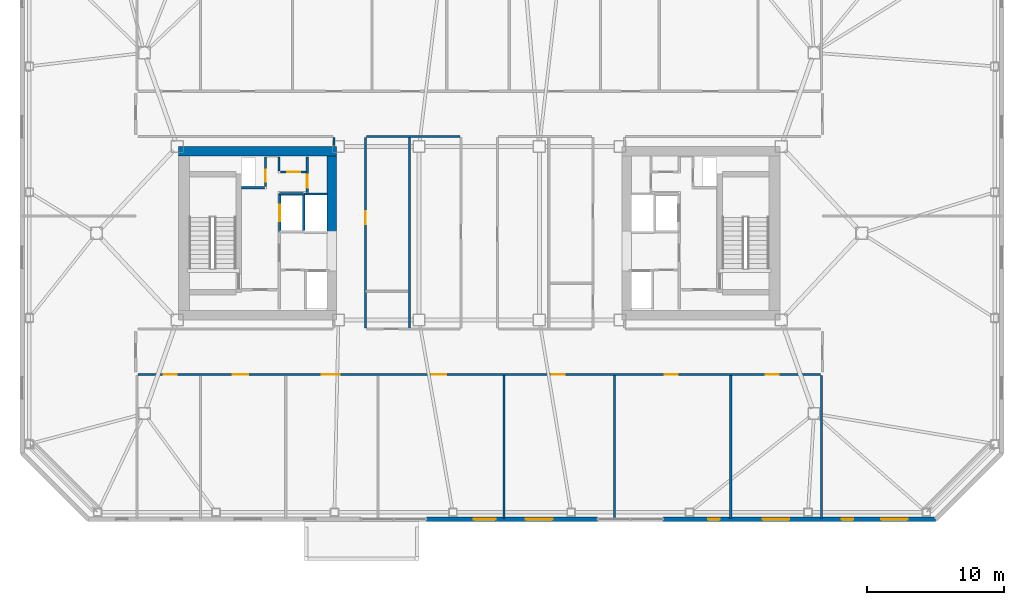
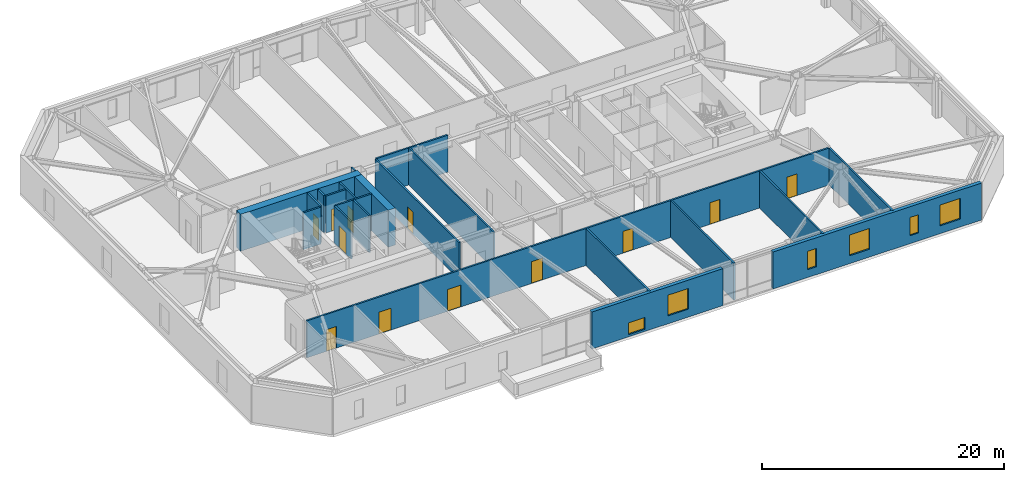
# One storey, part 11 of 18: 22 walls, 12 doors, 6 windows, 18 openings.
"""IFC4 building model written with IfcOpenShell, lengths in metres."""

from ifc_helpers import new_model, si_unit, direction, frame, frame_2d, origin, place, context, subcontext, project, spatial, rectangle, extrude, material, layer, layer_set, type_object, element, fill, save


model = new_model("IFC4")

# Units and contexts
model_context = context("Model", 3, precision=1e-05, world=origin(), true_north=direction((0.0, 1.0)))
body_context = subcontext(model_context, "Body", "Model", "MODEL_VIEW")
ifc_project = project(units=[si_unit("LENGTHUNIT", "METRE"), si_unit("AREAUNIT", "SQUARE_METRE"), si_unit("VOLUMEUNIT", "CUBIC_METRE"), si_unit("PLANEANGLEUNIT", "RADIAN"), si_unit("MASSUNIT", "GRAM", prefix="KILO")], contexts=[model_context])

# Site, building, storey
site_placement = place(None, origin())
site = spatial("IfcSite", under=ifc_project, at=site_placement, CompositionType="ELEMENT")
building_placement = place(site_placement, origin())
building = spatial("IfcBuilding", under=site, at=building_placement, Name="Tavrogorsk Clinical Tower", CompositionType="ELEMENT")
storey_placement = place(building_placement, frame((0.0, 0.0, 168.199951171875)))
storey = spatial("IfcBuildingStorey", under=building, at=storey_placement, Name="L38", CompositionType="ELEMENT", Elevation=168.199951171875)

# Wall
ifc_material_1 = material(Name="Lightweight concrete blockwork B15", Category="masonry")
ifc_layer_1 = layer(ifc_material_1, 0.139892578125)
ifc_layer_set_1 = layer_set([ifc_layer_1], Name="Lightweight concrete blockwork B15")
wall_type_1 = type_object("IfcWallType", Name="PartitionWall_140", PredefinedType="PARTITIONING", material=ifc_layer_set_1)
wall_1_placement = place(storey_placement, frame((-5.10009765625, -7.014892578125, 0.0), z_axis=(0.0, 0.0, 1.0), x_axis=(0.0, 1.0, 0.0)))
element("IfcWall", 1, at=wall_1_placement, inside=storey, type_object=wall_type_1, Name="L38 Central Spine Partition 1", PredefinedType="PARTITIONING", context=body_context, shape_type="SweptSolid", body=[
    extrude(rectangle(XDim=14.079833984375, YDim=0.139892578125, at=frame_2d((7.0400390625, 0.0))), origin(), (0.0, 0.0, 1.0), 3.739990234375),
])

# Wall, opening, door
ifc_material_2 = material(Name="Lightweight concrete blockwork B15", Category="masonry")
ifc_layer_2 = layer(ifc_material_2, 0.159912109375)
ifc_layer_set_2 = layer_set([ifc_layer_2], Name="Lightweight concrete blockwork B15")
wall_type_2 = type_object("IfcWallType", Name="PartitionWall_160", PredefinedType="PARTITIONING", material=ifc_layer_set_2)
wall_2_placement = place(storey_placement, frame((-12.580078125, 2.9599609375, 0.0), z_axis=(0.0, 0.0, 1.0), x_axis=(0.0, 1.0, 0.0)))
wall_2 = element("IfcWall", 2, at=wall_2_placement, inside=storey, type_object=wall_type_2, Name="L38 Core West Linen Closet Wall", PredefinedType="PARTITIONING", context=body_context, shape_type="SweptSolid", body=[
    extrude(rectangle(XDim=2.60009765625, YDim=0.159912109375, at=frame_2d((1.300048828125, 0.0))), origin(), (0.0, 0.0, 1.0), 3.739990234375),
])
opening_1_placement = place(wall_2_placement, frame((0.35009765625, 0.0, 0.0)))
opening_1 = element("IfcOpeningElement", 3, at=opening_1_placement, cuts=wall_2, Name="Opening ID-02", PredefinedType="OPENING", context=body_context, shape_type="SweptSolid", body=[
    extrude(rectangle(XDim=0.949951171875, YDim=2.199951171875, at=frame_2d((0.47509765625, 1.10009765625))), frame((0.0, 0.08984375, 0.0), z_axis=(0.0, -1.0, 0.0), x_axis=(1.0, 0.0, 0.0)), (0.0, 0.0, 1.0), 0.179931640625),
])
ifc_material_3 = material(Name="Laminated timber leaf on aluminium frame", Category="wood")
door_type_1 = type_object("IfcDoorType", Name="InteriorDoor_ID02_950", OperationType="NOTDEFINED", PredefinedType="DOOR", material=ifc_material_3)
door_1_placement = place(opening_1_placement, origin())
door_1 = element("IfcDoor", 4, at=door_1_placement, inside=storey, type_object=door_type_1, Name="L38 Core West Linen Closet Door", OperationType="SINGLE_SWING_RIGHT", OverallHeight=2.199951171875, OverallWidth=0.949951171875, PredefinedType="DOOR", context=body_context, shape_type="SweptSolid", body=[
    extrude(rectangle(XDim=0.949951171875, YDim=2.199951171875, at=frame_2d((0.47509765625, 1.10009765625))), frame((0.0, 0.02490234375, 0.0), z_axis=(0.0, -1.0, 0.0), x_axis=(1.0, 0.0, 0.0)), (0.0, 0.0, 1.0), 0.050048828125),
])
fill(opening_1, door_1)

wall_3_placement = place(storey_placement, frame((-14.554931640625, 4.47998046875, 0.0), z_axis=(0.0, 0.0, 1.0), x_axis=(1.0, 0.0, 0.0)))
wall_3 = element("IfcWall", 5, at=wall_3_placement, inside=storey, type_object=wall_type_2, Name="L38 Core West Housekeeping South Wall", PredefinedType="PARTITIONING", context=body_context, shape_type="SweptSolid", body=[
    extrude(rectangle(XDim=1.889892578125, YDim=0.159912109375, at=frame_2d((0.94482421875, 0.0))), origin(), (0.0, 0.0, 1.0), 3.739990234375),
])
opening_2_placement = place(wall_3_placement, frame((0.5, 0.0, 0.0)))
opening_2 = element("IfcOpeningElement", 6, at=opening_2_placement, cuts=wall_3, Name="Opening ID-02", PredefinedType="OPENING", context=body_context, shape_type="SweptSolid", body=[
    extrude(rectangle(XDim=0.949951171875, YDim=2.199951171875, at=frame_2d((0.47509765625, 1.10009765625))), frame((0.0, 0.08984375, 0.0), z_axis=(0.0, -1.0, 0.0), x_axis=(1.0, 0.0, 0.0)), (0.0, 0.0, 1.0), 0.179931640625),
])
door_2_placement = place(opening_2_placement, origin())
door_2 = element("IfcDoor", 7, at=door_2_placement, inside=storey, type_object=door_type_1, Name="L38 Core West Housekeeping Closet Door", OperationType="SINGLE_SWING_LEFT", OverallHeight=2.199951171875, OverallWidth=0.949951171875, PredefinedType="DOOR", context=body_context, shape_type="SweptSolid", body=[
    extrude(rectangle(XDim=0.949951171875, YDim=2.199951171875, at=frame_2d((0.47509765625, 1.10009765625))), frame((0.0, 0.02490234375, 0.0), z_axis=(0.0, -1.0, 0.0), x_axis=(1.0, 0.0, 0.0)), (0.0, 0.0, 1.0), 0.050048828125),
])
fill(opening_2, door_2)

# Walls
wall_4_placement = place(storey_placement, frame((-14.639892578125, 4.56494140625, 0.0), z_axis=(0.0, 0.0, 1.0), x_axis=(0.0, 1.0, 0.0)))
element("IfcWall", 8, at=wall_4_placement, inside=storey, type_object=wall_type_2, Name="L38 Core West Housekeeping East Wall", PredefinedType="PARTITIONING", context=body_context, shape_type="SweptSolid", body=[
    extrude(rectangle(XDim=0.9951171875, YDim=0.159912109375, at=frame_2d((0.49755859375, 0.0))), origin(), (0.0, 0.0, 1.0), 3.739990234375),
])
wall_5_placement = place(storey_placement, frame((-10.6298828125, 6.419921875, 0.0), z_axis=(0.0, 0.0, 1.0), x_axis=(0.0, 1.0, 0.0)))
element("IfcWall", 9, at=wall_5_placement, inside=storey, type_object=wall_type_2, Name="L38 Corridor Partition 04", PredefinedType="PARTITIONING", context=body_context, shape_type="SweptSolid", body=[
    extrude(rectangle(XDim=0.565185546875, YDim=0.159912109375, at=frame_2d((0.28271484375, 0.0))), origin(), (0.0, 0.0, 1.0), 3.739990234375),
])

# Wall, openings, doors
wall_6_placement = place(storey_placement, frame((24.965087890625, -10.330078125, 0.0), z_axis=(0.0, 0.0, 1.0), x_axis=(-1.0, 0.0, 0.0)))
wall_6 = element("IfcWall", 10, at=wall_6_placement, inside=storey, type_object=wall_type_2, Name="L38 Corridor Partition 14", PredefinedType="PARTITIONING", context=body_context, shape_type="SweptSolid", body=[
    extrude(rectangle(XDim=49.93017578125, YDim=0.159912109375, at=frame_2d((24.965087890625, 0.0))), origin(), (0.0, 0.0, 1.0), 3.739990234375),
])
opening_3_placement = place(wall_6_placement, frame((47.10595703125, 0.0, 0.0)))
opening_3 = element("IfcOpeningElement", 11, at=opening_3_placement, cuts=wall_6, Name="Opening ID-02", PredefinedType="OPENING", context=body_context, shape_type="SweptSolid", body=[
    extrude(rectangle(XDim=0.949951171875, YDim=2.199951171875, at=frame_2d((0.47509765625, 1.10009765625))), frame((0.0, 0.08984375, 0.0), z_axis=(0.0, -1.0, 0.0), x_axis=(1.0, 0.0, 0.0)), (0.0, 0.0, 1.0), 0.179931640625),
])
opening_4_placement = place(wall_6_placement, frame((41.85498046875, 0.0, 0.0)))
opening_4 = element("IfcOpeningElement", 12, at=opening_4_placement, cuts=wall_6, Name="Opening ID-06", PredefinedType="OPENING", context=body_context, shape_type="SweptSolid", body=[
    extrude(rectangle(XDim=1.14990234375, YDim=2.199951171875, at=frame_2d((0.574951171875, 1.10009765625))), frame((0.0, 0.08984375, 0.0), z_axis=(0.0, -1.0, 0.0), x_axis=(1.0, 0.0, 0.0)), (0.0, 0.0, 1.0), 0.179931640625),
])
opening_5_placement = place(wall_6_placement, frame((35.179931640625, 0.0, 0.0)))
opening_5 = element("IfcOpeningElement", 13, at=opening_5_placement, cuts=wall_6, Name="Opening ID-01", PredefinedType="OPENING", context=body_context, shape_type="SweptSolid", body=[
    extrude(rectangle(XDim=1.300048828125, YDim=2.199951171875, at=frame_2d((0.64990234375, 1.10009765625))), frame((0.0, 0.08984375, 0.0), z_axis=(0.0, -1.0, 0.0), x_axis=(1.0, 0.0, 0.0)), (0.0, 0.0, 1.0), 0.179931640625),
])
opening_6_placement = place(wall_6_placement, frame((27.3701171875, 0.0, 0.0)))
opening_6 = element("IfcOpeningElement", 14, at=opening_6_placement, cuts=wall_6, Name="Opening ID-04", PredefinedType="OPENING", context=body_context, shape_type="SweptSolid", body=[
    extrude(rectangle(XDim=1.050048828125, YDim=2.199951171875, at=frame_2d((0.52490234375, 1.10009765625))), frame((0.0, 0.08984375, 0.0), z_axis=(0.0, -1.0, 0.0), x_axis=(1.0, 0.0, 0.0)), (0.0, 0.0, 1.0), 0.179931640625),
])
opening_7_placement = place(wall_6_placement, frame((18.719970703125, 0.0, 0.0)))
opening_7 = element("IfcOpeningElement", 15, at=opening_7_placement, cuts=wall_6, Name="Opening ID-02", PredefinedType="OPENING", context=body_context, shape_type="SweptSolid", body=[
    extrude(rectangle(XDim=0.949951171875, YDim=2.199951171875, at=frame_2d((0.47509765625, 1.10009765625))), frame((0.0, 0.08984375, 0.0), z_axis=(0.0, -1.0, 0.0), x_axis=(1.0, 0.0, 0.0)), (0.0, 0.0, 1.0), 0.179931640625),
])
opening_8_placement = place(wall_6_placement, frame((10.425048828125, 0.0, 0.0)))
opening_8 = element("IfcOpeningElement", 16, at=opening_8_placement, cuts=wall_6, Name="Opening ID-02", PredefinedType="OPENING", context=body_context, shape_type="SweptSolid", body=[
    extrude(rectangle(XDim=0.949951171875, YDim=2.199951171875, at=frame_2d((0.47509765625, 1.10009765625))), frame((0.0, 0.08984375, 0.0), z_axis=(0.0, -1.0, 0.0), x_axis=(1.0, 0.0, 0.0)), (0.0, 0.0, 1.0), 0.179931640625),
])
opening_9_placement = place(wall_6_placement, frame((3.044189453125, 0.0, 0.0)))
opening_9 = element("IfcOpeningElement", 17, at=opening_9_placement, cuts=wall_6, Name="Opening ID-02", PredefinedType="OPENING", context=body_context, shape_type="SweptSolid", body=[
    extrude(rectangle(XDim=0.949951171875, YDim=2.199951171875, at=frame_2d((0.47509765625, 1.10009765625))), frame((0.0, 0.08984375, 0.0), z_axis=(0.0, -1.0, 0.0), x_axis=(1.0, 0.0, 0.0)), (0.0, 0.0, 1.0), 0.179931640625),
])
ifc_material_4 = material(Name="Antibacterial HPL consultation door on aluminium frame", Category="aluminium")
door_type_2 = type_object("IfcDoorType", Name="ConsultDoor_ID04_1050", OperationType="NOTDEFINED", PredefinedType="DOOR", material=ifc_material_4)
door_3_placement = place(opening_6_placement, origin())
door_3 = element("IfcDoor", 18, at=door_3_placement, inside=storey, type_object=door_type_2, Name="L38 South Clean Medication & Prep Room 04 Door", OperationType="SINGLE_SWING_LEFT", OverallHeight=2.199951171875, OverallWidth=1.050048828125, PredefinedType="DOOR", context=body_context, shape_type="SweptSolid", body=[
    extrude(rectangle(XDim=1.050048828125, YDim=2.199951171875, at=frame_2d((0.52490234375, 1.10009765625))), frame((0.0, 0.02490234375, 0.0), z_axis=(0.0, -1.0, 0.0), x_axis=(1.0, 0.0, 0.0)), (0.0, 0.0, 1.0), 0.050048828125),
])
fill(opening_6, door_3)
door_4_placement = place(opening_3_placement, origin())
door_4 = element("IfcDoor", 19, at=door_4_placement, inside=storey, type_object=door_type_1, Name="L38 South Cardiology Diagnostics Room 01 Door", OperationType="SINGLE_SWING_RIGHT", OverallHeight=2.199951171875, OverallWidth=0.949951171875, PredefinedType="DOOR", context=body_context, shape_type="SweptSolid", body=[
    extrude(rectangle(XDim=0.949951171875, YDim=2.199951171875, at=frame_2d((0.47509765625, 1.10009765625))), frame((0.0, 0.02490234375, 0.0), z_axis=(0.0, -1.0, 0.0), x_axis=(1.0, 0.0, 0.0)), (0.0, 0.0, 1.0), 0.050048828125),
])
fill(opening_3, door_4)
door_5_placement = place(opening_7_placement, origin())
door_5 = element("IfcDoor", 20, at=door_5_placement, inside=storey, type_object=door_type_1, Name="L38 South Outpatient Procedure Suite 05 Door", OperationType="SINGLE_SWING_RIGHT", OverallHeight=2.199951171875, OverallWidth=0.949951171875, PredefinedType="DOOR", context=body_context, shape_type="SweptSolid", body=[
    extrude(rectangle(XDim=0.949951171875, YDim=2.199951171875, at=frame_2d((0.47509765625, 1.10009765625))), frame((0.0, 0.02490234375, 0.0), z_axis=(0.0, -1.0, 0.0), x_axis=(1.0, 0.0, 0.0)), (0.0, 0.0, 1.0), 0.050048828125),
])
fill(opening_7, door_5)
door_6_placement = place(opening_8_placement, origin())
door_6 = element("IfcDoor", 21, at=door_6_placement, inside=storey, type_object=door_type_1, Name="L38 South Cardiology Diagnostics Room 06 Door", OperationType="SINGLE_SWING_LEFT", OverallHeight=2.199951171875, OverallWidth=0.949951171875, PredefinedType="DOOR", context=body_context, shape_type="SweptSolid", body=[
    extrude(rectangle(XDim=0.949951171875, YDim=2.199951171875, at=frame_2d((0.47509765625, 1.10009765625))), frame((0.0, 0.02490234375, 0.0), z_axis=(0.0, -1.0, 0.0), x_axis=(1.0, 0.0, 0.0)), (0.0, 0.0, 1.0), 0.050048828125),
])
fill(opening_8, door_6)
door_7_placement = place(opening_9_placement, origin())
door_7 = element("IfcDoor", 22, at=door_7_placement, inside=storey, type_object=door_type_1, Name="L38 South Attending Physician Office 07 Door", OperationType="SINGLE_SWING_RIGHT", OverallHeight=2.199951171875, OverallWidth=0.949951171875, PredefinedType="DOOR", context=body_context, shape_type="SweptSolid", body=[
    extrude(rectangle(XDim=0.949951171875, YDim=2.199951171875, at=frame_2d((0.47509765625, 1.10009765625))), frame((0.0, 0.02490234375, 0.0), z_axis=(0.0, -1.0, 0.0), x_axis=(1.0, 0.0, 0.0)), (0.0, 0.0, 1.0), 0.050048828125),
])
fill(opening_9, door_7)
ifc_material_5 = material(Name="Antibacterial HPL procedure door on aluminium frame", Category="aluminium")
door_type_3 = type_object("IfcDoorType", Name="LabDoor_ID06_1150", OperationType="NOTDEFINED", PredefinedType="DOOR", material=ifc_material_5)
door_8_placement = place(opening_4_placement, origin())
door_8 = element("IfcDoor", 23, at=door_8_placement, inside=storey, type_object=door_type_3, Name="L38 South Attending Physician Office 02 Door", OperationType="SINGLE_SWING_LEFT", OverallHeight=2.199951171875, OverallWidth=1.14990234375, PredefinedType="DOOR", context=body_context, shape_type="SweptSolid", body=[
    extrude(rectangle(XDim=1.14990234375, YDim=2.199951171875, at=frame_2d((0.574951171875, 1.10009765625))), frame((0.0, 0.02490234375, 0.0), z_axis=(0.0, -1.0, 0.0), x_axis=(1.0, 0.0, 0.0)), (0.0, 0.0, 1.0), 0.050048828125),
])
fill(opening_4, door_8)
ifc_material_6 = material(Name="Antibacterial HPL medical leaf on aluminium frame", Category="aluminium")
door_type_4 = type_object("IfcDoorType", Name="WardBedDoor_ID01_1300", OperationType="NOTDEFINED", PredefinedType="DOOR", material=ifc_material_6)
door_9_placement = place(opening_5_placement, origin())
door_9 = element("IfcDoor", 24, at=door_9_placement, inside=storey, type_object=door_type_4, Name="L38 South Acute Medical Ward 03 Door", OperationType="SINGLE_SWING_RIGHT", OverallHeight=2.199951171875, OverallWidth=1.300048828125, PredefinedType="DOOR", context=body_context, shape_type="SweptSolid", body=[
    extrude(rectangle(XDim=1.300048828125, YDim=2.199951171875, at=frame_2d((0.64990234375, 1.10009765625))), frame((0.0, 0.02490234375, 0.0), z_axis=(0.0, -1.0, 0.0), x_axis=(1.0, 0.0, 0.0)), (0.0, 0.0, 1.0), 0.050048828125),
])
fill(opening_5, door_9)

# Wall
wall_7_placement = place(storey_placement, frame((-1.4150390625, 7.070068359375, 0.0), z_axis=(0.0, 0.0, 1.0), x_axis=(-1.0, 0.0, 0.0)))
element("IfcWall", 25, at=wall_7_placement, inside=storey, type_object=wall_type_2, Name="L38 Corridor Partition 20", PredefinedType="PARTITIONING", context=body_context, shape_type="SweptSolid", body=[
    extrude(rectangle(XDim=6.820068359375, YDim=0.159912109375, at=frame_2d((3.41015625, 0.0))), origin(), (0.0, 0.0, 1.0), 3.739990234375),
])

# Wall, opening, door
wall_8_placement = place(storey_placement, frame((-8.320068359375, 6.985107421875, 0.0), z_axis=(0.0, 0.0, 1.0), x_axis=(0.0, -1.0, 0.0)))
wall_8 = element("IfcWall", 26, at=wall_8_placement, inside=storey, type_object=wall_type_2, Name="L38 Corridor Partition 21", PredefinedType="PARTITIONING", context=body_context, shape_type="SweptSolid", body=[
    extrude(rectangle(XDim=13.920166015625, YDim=0.159912109375, at=frame_2d((6.9599609375, 0.0))), origin(), (0.0, 0.0, 1.0), 3.739990234375),
])
opening_10_placement = place(wall_8_placement, frame((5.379150390625, 0.0, 0.0)))
opening_10 = element("IfcOpeningElement", 27, at=opening_10_placement, cuts=wall_8, Name="Opening ID-02", PredefinedType="OPENING", context=body_context, shape_type="SweptSolid", body=[
    extrude(rectangle(XDim=0.949951171875, YDim=2.199951171875, at=frame_2d((0.47509765625, 1.10009765625))), frame((0.0, 0.08984375, 0.0), z_axis=(0.0, -1.0, 0.0), x_axis=(1.0, 0.0, 0.0)), (0.0, 0.0, 1.0), 0.179931640625),
])
door_10_placement = place(opening_10_placement, origin())
door_10 = element("IfcDoor", 28, at=door_10_placement, inside=storey, type_object=door_type_1, Name="L38 Ward Nourishment Pantry Door", OperationType="SINGLE_SWING_RIGHT", OverallHeight=2.199951171875, OverallWidth=0.949951171875, PredefinedType="DOOR", context=body_context, shape_type="SweptSolid", body=[
    extrude(rectangle(XDim=0.949951171875, YDim=2.199951171875, at=frame_2d((0.47509765625, 1.10009765625))), frame((0.0, 0.02490234375, 0.0), z_axis=(0.0, -1.0, 0.0), x_axis=(1.0, 0.0, 0.0)), (0.0, 0.0, 1.0), 0.050048828125),
])
fill(opening_10, door_10)

# Walls
for number, where, z_axis, x_axis, name in (
    (29, (25.050048828125, -20.860107421875, 0.0), (0.0, 0.0, 1.0), (0.0, 1.0, 0.0), "L38 SE Wing Closure Partition"),
    (30, (1.81005859375, -20.860107421875, 0.0), (0.0, 0.0, 1.0), (0.0, 1.0, 0.0), "L38 South Room Partition 4"),
    (31, (9.89990234375, -20.860107421875, 0.0), (0.0, 0.0, 1.0), (0.0, 1.0, 0.0), "L38 South Room Partition 5"),
    (32, (18.39990234375, -20.860107421875, 0.0), (0.0, 0.0, 1.0), (0.0, 1.0, 0.0), "L38 South Room Partition 6"),
):
    element("IfcWall", number, at=place(storey_placement, frame(where, z_axis=z_axis, x_axis=x_axis)), inside=storey, type_object=wall_type_2, Name=name, PredefinedType="PARTITIONING", context=body_context, shape_type="SweptSolid", body=[
        extrude(rectangle(XDim=10.445068359375, YDim=0.159912109375, at=frame_2d((5.22265625, 0.0))), origin(), (0.0, 0.0, 1.0), 3.739990234375),
    ])

# Wall, openings, windows
ifc_material_7 = material(Name="Precast concrete B45 with limestone cladding", Category="masonry")
ifc_layer_3 = layer(ifc_material_7, 0.340087890625)
ifc_layer_set_3 = layer_set([ifc_layer_3], Name="Precast concrete B45 with limestone cladding")
wall_type_3 = type_object("IfcWallType", Name="PrecastLimestoneWall_340", PredefinedType="STANDARD", material=ifc_layer_set_3)
wall_9_placement = place(storey_placement, frame((-3.86279296875, -20.929931640625, 0.0), z_axis=(0.0, 0.0, 1.0), x_axis=(1.0, 0.0, 0.0)))
wall_9 = element("IfcWall", 33, at=wall_9_placement, inside=storey, type_object=wall_type_3, Name="L38 S Limestone Facade Wall 2", PredefinedType="STANDARD", context=body_context, shape_type="SweptSolid", body=[
    extrude(rectangle(XDim=12.525634765625, YDim=0.340087890625, at=frame_2d((6.2626953125, 0.0))), origin(), (0.0, 0.0, 1.0), 3.739990234375),
])
opening_11_placement = place(wall_9_placement, frame((3.470458984375, 0.0, 0.219970703125)))
opening_11 = element("IfcOpeningElement", 34, at=opening_11_placement, cuts=wall_9, Name="Opening WN-09", PredefinedType="OPENING", context=body_context, shape_type="SweptSolid", body=[
    extrude(rectangle(XDim=1.60009765625, YDim=1.199951171875, at=frame_2d((0.800048828125, 0.60009765625))), frame((0.0, 0.179931640625, 0.0), z_axis=(0.0, -1.0, 0.0), x_axis=(1.0, 0.0, 0.0)), (0.0, 0.0, 1.0), 0.360107421875),
])
opening_12_placement = place(wall_9_placement, frame((7.2802734375, 0.0, 0.800048828125)))
opening_12 = element("IfcOpeningElement", 35, at=opening_12_placement, cuts=wall_9, Name="Opening WN-13", PredefinedType="OPENING", context=body_context, shape_type="SweptSolid", body=[
    extrude(rectangle(XDim=1.949951171875, YDim=2.10009765625, at=frame_2d((0.97509765625, 1.050048828125))), frame((0.0, 0.179931640625, 0.0), z_axis=(0.0, -1.0, 0.0), x_axis=(1.0, 0.0, 0.0)), (0.0, 0.0, 1.0), 0.360107421875),
])
ifc_material_8 = material(Name="Thermally broken aluminium frame and triple IGU", Category="aluminium")
window_type_1 = type_object("IfcWindowType", Name="ExamRoomWin_1950x2100", PartitioningType="DOUBLE_PANEL_VERTICAL", PredefinedType="WINDOW", material=ifc_material_8)
window_1_placement = place(opening_12_placement, origin())
window_1 = element("IfcWindow", 36, at=window_1_placement, inside=storey, type_object=window_type_1, Name="L38 S Chicago Window 06", OverallHeight=2.10009765625, OverallWidth=1.949951171875, PartitioningType="SINGLE_PANEL", PredefinedType="WINDOW", context=body_context, shape_type="SweptSolid", body=[
    extrude(rectangle(XDim=1.949951171875, YDim=2.10009765625, at=frame_2d((0.97509765625, 1.050048828125))), frame((0.0, 0.030029296875, 0.0), z_axis=(0.0, -1.0, 0.0), x_axis=(1.0, 0.0, 0.0)), (0.0, 0.0, 1.0), 0.06005859375),
])
fill(opening_12, window_1)
ifc_material_9 = material(Name="Thermally broken aluminium frame and triple IGU", Category="aluminium")
window_type_2 = type_object("IfcWindowType", Name="LowHeadTransWin_1600x1200", PartitioningType="DOUBLE_PANEL_VERTICAL", PredefinedType="WINDOW", material=ifc_material_9)
window_2_placement = place(opening_11_placement, origin())
window_2 = element("IfcWindow", 37, at=window_2_placement, inside=storey, type_object=window_type_2, Name="L38 S Chicago Window 05", OverallHeight=1.199951171875, OverallWidth=1.60009765625, PartitioningType="SINGLE_PANEL", PredefinedType="WINDOW", context=body_context, shape_type="SweptSolid", body=[
    extrude(rectangle(XDim=1.60009765625, YDim=1.199951171875, at=frame_2d((0.800048828125, 0.60009765625))), frame((0.0, 0.030029296875, 0.0), z_axis=(0.0, -1.0, 0.0), x_axis=(1.0, 0.0, 0.0)), (0.0, 0.0, 1.0), 0.06005859375),
])
fill(opening_11, window_2)

wall_10_placement = place(storey_placement, frame((13.462890625, -20.929931640625, 0.0), z_axis=(0.0, 0.0, 1.0), x_axis=(1.0, 0.0, 0.0)))
wall_10 = element("IfcWall", 38, at=wall_10_placement, inside=storey, type_object=wall_type_3, Name="L38 S Limestone Facade Wall 3", PredefinedType="STANDARD", context=body_context, shape_type="SweptSolid", body=[
    extrude(rectangle(XDim=19.93701171875, YDim=0.340087890625, at=frame_2d((9.968505859375, 0.0))), origin(), (0.0, 0.0, 1.0), 3.739990234375),
])
opening_13_placement = place(wall_10_placement, frame((3.29541015625, 0.0, 0.800048828125)))
opening_13 = element("IfcOpeningElement", 39, at=opening_13_placement, cuts=wall_10, Name="Opening WN-06", PredefinedType="OPENING", context=body_context, shape_type="SweptSolid", body=[
    extrude(rectangle(XDim=0.85009765625, YDim=1.85009765625, at=frame_2d((0.425048828125, 0.925048828125))), frame((0.0, 0.179931640625, 0.0), z_axis=(0.0, -1.0, 0.0), x_axis=(1.0, 0.0, 0.0)), (0.0, 0.0, 1.0), 0.360107421875),
])
opening_14_placement = place(wall_10_placement, frame((7.2802734375, 0.0, 0.800048828125)))
opening_14 = element("IfcOpeningElement", 40, at=opening_14_placement, cuts=wall_10, Name="Opening WN-13", PredefinedType="OPENING", context=body_context, shape_type="SweptSolid", body=[
    extrude(rectangle(XDim=1.949951171875, YDim=2.10009765625, at=frame_2d((0.97509765625, 1.050048828125))), frame((0.0, 0.179931640625, 0.0), z_axis=(0.0, -1.0, 0.0), x_axis=(1.0, 0.0, 0.0)), (0.0, 0.0, 1.0), 0.360107421875),
])
opening_15_placement = place(wall_10_placement, frame((13.058349609375, 0.0, 0.800048828125)))
opening_15 = element("IfcOpeningElement", 41, at=opening_15_placement, cuts=wall_10, Name="Opening WN-06", PredefinedType="OPENING", context=body_context, shape_type="SweptSolid", body=[
    extrude(rectangle(XDim=0.85009765625, YDim=1.85009765625, at=frame_2d((0.425048828125, 0.925048828125))), frame((0.0, 0.179931640625, 0.0), z_axis=(0.0, -1.0, 0.0), x_axis=(1.0, 0.0, 0.0)), (0.0, 0.0, 1.0), 0.360107421875),
])
opening_16_placement = place(wall_10_placement, frame((15.943115234375, 0.0, 0.800048828125)))
opening_16 = element("IfcOpeningElement", 42, at=opening_16_placement, cuts=wall_10, Name="Opening WN-13", PredefinedType="OPENING", context=body_context, shape_type="SweptSolid", body=[
    extrude(rectangle(XDim=1.949951171875, YDim=2.10009765625, at=frame_2d((0.97509765625, 1.050048828125))), frame((0.0, 0.179931640625, 0.0), z_axis=(0.0, -1.0, 0.0), x_axis=(1.0, 0.0, 0.0)), (0.0, 0.0, 1.0), 0.360107421875),
])
window_3_placement = place(opening_14_placement, origin())
window_3 = element("IfcWindow", 43, at=window_3_placement, inside=storey, type_object=window_type_1, Name="L38 S Chicago Window 08", OverallHeight=2.10009765625, OverallWidth=1.949951171875, PartitioningType="SINGLE_PANEL", PredefinedType="WINDOW", context=body_context, shape_type="SweptSolid", body=[
    extrude(rectangle(XDim=1.949951171875, YDim=2.10009765625, at=frame_2d((0.97509765625, 1.050048828125))), frame((0.0, 0.030029296875, 0.0), z_axis=(0.0, -1.0, 0.0), x_axis=(1.0, 0.0, 0.0)), (0.0, 0.0, 1.0), 0.06005859375),
])
fill(opening_14, window_3)
window_4_placement = place(opening_16_placement, origin())
window_4 = element("IfcWindow", 44, at=window_4_placement, inside=storey, type_object=window_type_1, Name="L38 S Chicago Window 10", OverallHeight=2.10009765625, OverallWidth=1.949951171875, PartitioningType="SINGLE_PANEL", PredefinedType="WINDOW", context=body_context, shape_type="SweptSolid", body=[
    extrude(rectangle(XDim=1.949951171875, YDim=2.10009765625, at=frame_2d((0.97509765625, 1.050048828125))), frame((0.0, 0.030029296875, 0.0), z_axis=(0.0, -1.0, 0.0), x_axis=(1.0, 0.0, 0.0)), (0.0, 0.0, 1.0), 0.06005859375),
])
fill(opening_16, window_4)
ifc_material_10 = material(Name="Thermally broken aluminium frame and triple IGU", Category="aluminium")
window_type_3 = type_object("IfcWindowType", Name="MullionSubWin_850x1850", PartitioningType="SINGLE_PANEL", PredefinedType="WINDOW", material=ifc_material_10)
window_5_placement = place(opening_13_placement, origin())
window_5 = element("IfcWindow", 45, at=window_5_placement, inside=storey, type_object=window_type_3, Name="L38 S Mullion Split Window 07A", OverallHeight=1.85009765625, OverallWidth=0.85009765625, PartitioningType="SINGLE_PANEL", PredefinedType="WINDOW", context=body_context, shape_type="SweptSolid", body=[
    extrude(rectangle(XDim=0.85009765625, YDim=1.85009765625, at=frame_2d((0.425048828125, 0.925048828125))), frame((0.0, 0.030029296875, 0.0), z_axis=(0.0, -1.0, 0.0), x_axis=(1.0, 0.0, 0.0)), (0.0, 0.0, 1.0), 0.06005859375),
])
fill(opening_13, window_5)
window_6_placement = place(opening_15_placement, origin())
window_6 = element("IfcWindow", 46, at=window_6_placement, inside=storey, type_object=window_type_3, Name="L38 S Mullion Split Window 09B", OverallHeight=1.85009765625, OverallWidth=0.85009765625, PartitioningType="SINGLE_PANEL", PredefinedType="WINDOW", context=body_context, shape_type="SweptSolid", body=[
    extrude(rectangle(XDim=0.85009765625, YDim=1.85009765625, at=frame_2d((0.425048828125, 0.925048828125))), frame((0.0, 0.030029296875, 0.0), z_axis=(0.0, -1.0, 0.0), x_axis=(1.0, 0.0, 0.0)), (0.0, 0.0, 1.0), 0.06005859375),
])
fill(opening_15, window_6)

# Wall, opening, door
ifc_material_11 = material(Name="Lightweight concrete blockwork B25", Category="masonry")
ifc_layer_4 = layer(ifc_material_11, 0.159912109375)
ifc_layer_set_4 = layer_set([ifc_layer_4], Name="Lightweight concrete blockwork B25")
wall_type_4 = type_object("IfcWallType", Name="ShaftWall_160", PredefinedType="PARTITIONING", material=ifc_layer_set_4)
wall_11_placement = place(storey_placement, frame((-14.60009765625, 0.1201171875, 0.0), z_axis=(0.0, 0.0, 1.0), x_axis=(0.0, 1.0, 0.0)))
wall_11 = element("IfcWall", 47, at=wall_11_placement, inside=storey, type_object=wall_type_4, Name="L38 FFL-W Firefighting Lift Front Wall", PredefinedType="PARTITIONING", context=body_context, shape_type="SweptSolid", body=[
    extrude(rectangle(XDim=2.739990234375, YDim=0.159912109375, at=frame_2d((1.3701171875, 0.0))), origin(), (0.0, 0.0, 1.0), 3.739990234375),
])
opening_17_placement = place(wall_11_placement, frame((0.77001953125, 0.0, 0.0)))
opening_17 = element("IfcOpeningElement", 48, at=opening_17_placement, cuts=wall_11, Name="Opening LD", PredefinedType="OPENING", context=body_context, shape_type="SweptSolid", body=[
    extrude(rectangle(XDim=1.199951171875, YDim=2.199951171875, at=frame_2d((0.60009765625, 1.10009765625))), frame((0.0, 0.08984375, 0.0), z_axis=(0.0, -1.0, 0.0), x_axis=(1.0, 0.0, 0.0)), (0.0, 0.0, 1.0), 0.179931640625),
])
ifc_material_12 = material(Name="Brushed stainless steel AISI 304 sliding doors", Category="steel")
door_type_5 = type_object("IfcDoorType", Name="LiftLandingDoor_LD_1200", OperationType="SLIDING_TO_LEFT", PredefinedType="DOOR", material=ifc_material_12)
door_11_placement = place(opening_17_placement, origin())
door_11 = element("IfcDoor", 49, at=door_11_placement, inside=storey, type_object=door_type_5, Name="L38 FFL-W Sliding Lift Landing Door", OperationType="SLIDING_TO_LEFT", OverallHeight=2.199951171875, OverallWidth=1.199951171875, PredefinedType="DOOR", context=body_context, shape_type="SweptSolid", body=[
    extrude(rectangle(XDim=1.199951171875, YDim=2.199951171875, at=frame_2d((0.60009765625, 1.10009765625))), frame((0.0, 0.02490234375, 0.0), z_axis=(0.0, -1.0, 0.0), x_axis=(1.0, 0.0, 0.0)), (0.0, 0.0, 1.0), 0.050048828125),
])
fill(opening_17, door_11)

# Walls
wall_12_placement = place(storey_placement, frame((-14.60009765625, 2.8798828125, 0.0), z_axis=(0.0, 0.0, 1.0), x_axis=(1.0, 0.0, 0.0)))
element("IfcWall", 50, at=wall_12_placement, inside=storey, type_object=wall_type_4, Name="L38 FFL-W Shaft North Wall", PredefinedType="PARTITIONING", context=body_context, shape_type="SweptSolid", body=[
    extrude(rectangle(XDim=1.760009765625, YDim=0.159912109375, at=frame_2d((0.8798828125, 0.0))), origin(), (0.0, 0.0, 1.0), 3.739990234375),
])
wall_13_placement = place(storey_placement, frame((-12.840087890625, 0.179931640625, 0.0), z_axis=(0.0, 0.0, 1.0), x_axis=(0.0, 1.0, 0.0)))
element("IfcWall", 51, at=wall_13_placement, inside=storey, type_object=wall_type_4, Name="L38 FFL-W Shaft Back Wall", PredefinedType="PARTITIONING", context=body_context, shape_type="SweptSolid", body=[
    extrude(rectangle(XDim=2.6201171875, YDim=0.159912109375, at=frame_2d((1.31005859375, 0.0))), origin(), (0.0, 0.0, 1.0), 3.739990234375),
])
wall_14_placement = place(storey_placement, frame((-12.820068359375, 2.860107421875, 0.0), z_axis=(0.0, 0.0, 1.0), x_axis=(1.0, 0.0, 0.0)))
element("IfcWall", 52, at=wall_14_placement, inside=storey, type_object=wall_type_4, Name="L38 LP-H1 High-Zone Lift Rear Wall", PredefinedType="PARTITIONING", context=body_context, shape_type="SweptSolid", body=[
    extrude(rectangle(XDim=1.719970703125, YDim=0.159912109375, at=frame_2d((0.85986328125, 0.0))), origin(), (0.0, 0.0, 1.0), 3.739990234375),
])

# Wall, opening, door
wall_15_placement = place(storey_placement, frame((-15.639892578125, 3.405029296875, 0.0), z_axis=(0.0, 0.0, 1.0), x_axis=(0.0, 1.0, 0.0)))
wall_15 = element("IfcWall", 53, at=wall_15_placement, inside=storey, type_object=wall_type_4, Name="L38 Core West Riser West Wall", PredefinedType="PARTITIONING", context=body_context, shape_type="SweptSolid", body=[
    extrude(rectangle(XDim=2.155029296875, YDim=0.159912109375, at=frame_2d((1.07763671875, 0.0))), origin(), (0.0, 0.0, 1.0), 3.739990234375),
])
opening_18_placement = place(wall_15_placement, frame((0.35009765625, 0.0, 0.0)))
opening_18 = element("IfcOpeningElement", 54, at=opening_18_placement, cuts=wall_15, Name="Opening FD-02", PredefinedType="OPENING", context=body_context, shape_type="SweptSolid", body=[
    extrude(rectangle(XDim=0.89990234375, YDim=2.199951171875, at=frame_2d((0.449951171875, 1.10009765625))), frame((0.0, 0.08984375, 0.0), z_axis=(0.0, -1.0, 0.0), x_axis=(1.0, 0.0, 0.0)), (0.0, 0.0, 1.0), 0.179931640625),
])
ifc_material_13 = material(Name="Galvanised steel fire-rated door assembly", Category="steel")
door_type_6 = type_object("IfcDoorType", Name="FireDoor_FD02_900", OperationType="NOTDEFINED", PredefinedType="DOOR", material=ifc_material_13)
door_12_placement = place(opening_18_placement, origin())
door_12 = element("IfcDoor", 55, at=door_12_placement, inside=storey, type_object=door_type_6, Name="L38 Core West Electrical Riser Access Door", OperationType="SINGLE_SWING_LEFT", OverallHeight=2.199951171875, OverallWidth=0.89990234375, PredefinedType="DOOR", context=body_context, shape_type="SweptSolid", body=[
    extrude(rectangle(XDim=0.89990234375, YDim=2.199951171875, at=frame_2d((0.449951171875, 1.10009765625))), frame((0.0, 0.02490234375, 0.0), z_axis=(0.0, -1.0, 0.0), x_axis=(1.0, 0.0, 0.0)), (0.0, 0.0, 1.0), 0.050048828125),
])
fill(opening_18, door_12)

# Walls
wall_16_placement = place(storey_placement, frame((-17.3798828125, 3.320068359375, 0.0), z_axis=(0.0, 0.0, 1.0), x_axis=(1.0, 0.0, 0.0)))
element("IfcWall", 56, at=wall_16_placement, inside=storey, type_object=wall_type_4, Name="L38 Core West Riser South Wall", PredefinedType="PARTITIONING", context=body_context, shape_type="SweptSolid", body=[
    extrude(rectangle(XDim=1.65478515625, YDim=0.159912109375, at=frame_2d((0.827392578125, 0.0))), origin(), (0.0, 0.0, 1.0), 3.739990234375),
])
ifc_material_14 = material(Name="Concrete B80", Category="concrete")
ifc_layer_5 = layer(ifc_material_14, 0.699951171875)
ifc_layer_set_5 = layer_set([ifc_layer_5], Name="Concrete B80")
wall_type_5 = type_object("IfcWallType", Name="ShearWall_700", PredefinedType="SHEAR", material=ifc_layer_set_5)
wall_17_placement = place(storey_placement, frame((-22.0, 6.0, 0.0), z_axis=(0.0, 0.0, 1.0), x_axis=(1.0, 0.0, 0.0)))
element("IfcWall", 57, at=wall_17_placement, inside=storey, type_object=wall_type_5, Name="L38 Core West North Shear Wall", PredefinedType="SHEAR", context=body_context, shape_type="SweptSolid", body=[
    extrude(rectangle(XDim=11.550048828125, YDim=0.699951171875, at=frame_2d((5.77490234375, 0.0))), origin(), (0.0, 0.0, 1.0), 3.739990234375),
])
wall_18_placement = place(storey_placement, frame((-10.800048828125, 0.050048828125, 0.0), z_axis=(0.0, 0.0, 1.0), x_axis=(0.0, 1.0, 0.0)))
element("IfcWall", 58, at=wall_18_placement, inside=storey, type_object=wall_type_5, Name="L38 Core West Inner North Pier", PredefinedType="SHEAR", context=body_context, shape_type="SweptSolid", body=[
    extrude(rectangle(XDim=5.599853515625, YDim=0.699951171875, at=frame_2d((2.7998046875, 0.0))), origin(), (0.0, 0.0, 1.0), 3.739990234375),
])

save(model, "model.ifc")
